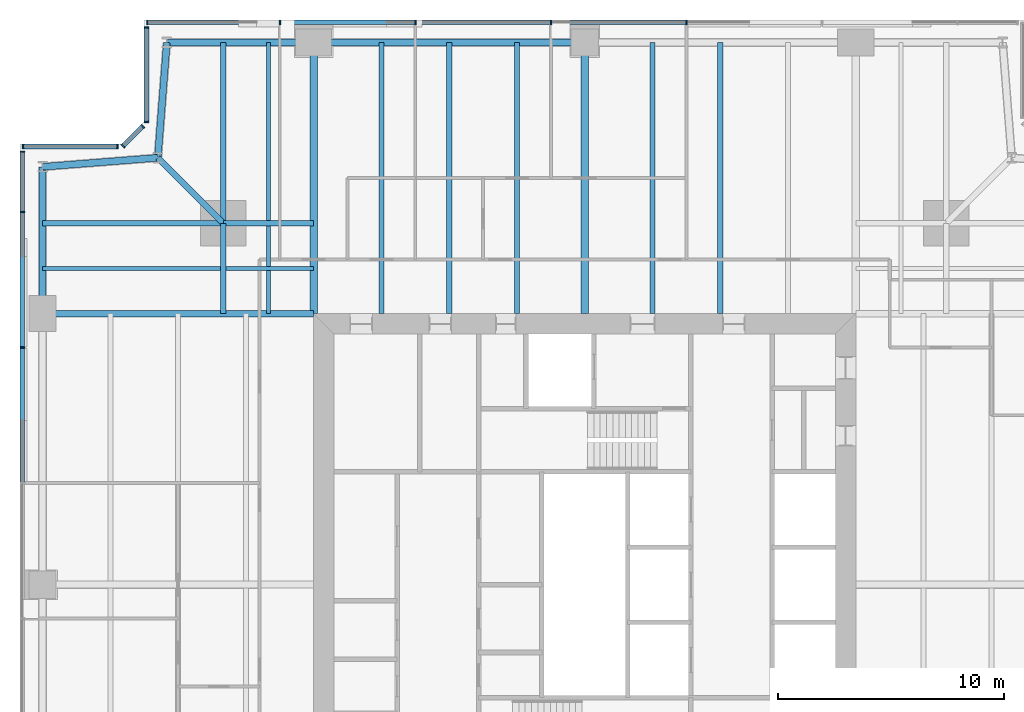
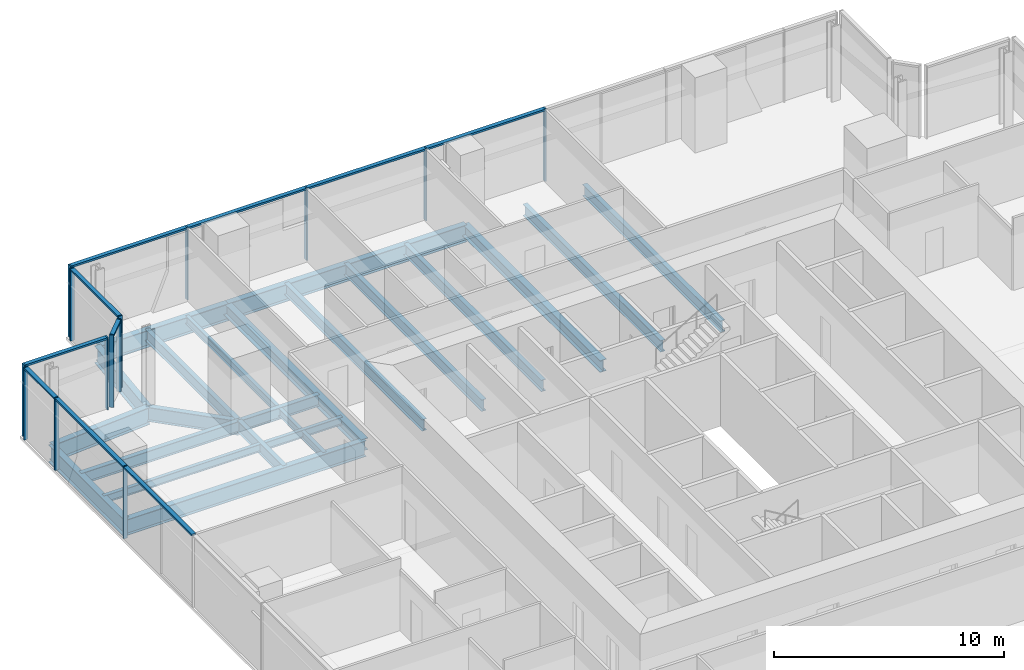
# One storey, part 6 of 14: 24 members, 23 beams, 5 elements without a shape of their own.
"""IFC4 building model written with IfcOpenShell, lengths in metres."""

from ifc_helpers import new_model, si_unit, direction, frame, origin, origin_2d, place, context, subcontext, project, spatial, rectangle, i_section, extrude, material, material_profile, profile_set, type_object, element, aggregate, save


model = new_model("IFC4")

# Units and contexts
model_context = context("Model", 3, precision=1e-05, world=origin(), true_north=direction((0.0, 1.0)))
body_context = subcontext(model_context, "Body", "Model", "MODEL_VIEW")
ifc_project = project(units=[si_unit("LENGTHUNIT", "METRE"), si_unit("AREAUNIT", "SQUARE_METRE"), si_unit("VOLUMEUNIT", "CUBIC_METRE"), si_unit("PLANEANGLEUNIT", "RADIAN"), si_unit("MASSUNIT", "GRAM", prefix="KILO")], contexts=[model_context])

# Site, building, storey
site_placement = place(None, origin())
site = spatial("IfcSite", under=ifc_project, at=site_placement, CompositionType="ELEMENT")
building_placement = place(site_placement, origin())
building = spatial("IfcBuilding", under=site, at=building_placement, Name="Fenwick Lantern Interchange", CompositionType="ELEMENT")
storey_placement = place(building_placement, frame((0.0, 0.0, 197.800048828125)))
storey = spatial("IfcBuildingStorey", under=building, at=storey_placement, Name="L46", CompositionType="ELEMENT", Elevation=197.800048828125)

# Beams
ifc_material_1 = material(Name="Steel ASTM A992 Grade 50", Category="steel")
ifc_material_profile_1 = material_profile(ifc_material_1, i_section(OverallWidth=0.3046875, OverallDepth=0.911865234375, WebThickness=0.015869140625, FlangeThickness=0.02392578125, at=origin_2d()), Name="W36X150")
ifc_profile_set_1 = profile_set([ifc_material_profile_1], Name="Steel ASTM A992 Grade 50")
beam_type_1 = type_object("IfcBeamType", Name="EDGE BEAM W36X150", PredefinedType="SPANDREL", material=ifc_profile_set_1)
beam_1_placement = place(storey_placement, frame((25.0, 49.0, -0.60595703125), z_axis=(-1.0, 0.0, 0.0), x_axis=(0.0, -1.0, 0.0)))
element("IfcBeam", 1, at=beam_1_placement, inside=storey, type_object=beam_type_1, Name="L46/FR/N/EB3", PredefinedType="SPANDREL", context=body_context, shape_type="SweptSolid", body=[
    extrude(i_section(OverallWidth=0.3046875, OverallDepth=0.911865234375, WebThickness=0.015869140625, FlangeThickness=0.02392578125, at=origin_2d()), origin(), (0.0, 0.0, 1.0), 12.0),
])
beam_2_placement = place(storey_placement, frame((13.0, 49.0, -0.60595703125), z_axis=(-1.0, 0.0, 0.0), x_axis=(0.0, -1.0, 0.0)))
element("IfcBeam", 2, at=beam_2_placement, inside=storey, type_object=beam_type_1, Name="L46/FR/N/EB4", PredefinedType="SPANDREL", context=body_context, shape_type="SweptSolid", body=[
    extrude(i_section(OverallWidth=0.3046875, OverallDepth=0.911865234375, WebThickness=0.015869140625, FlangeThickness=0.02392578125, at=origin_2d()), origin(), (0.0, 0.0, 1.0), 6.5),
])
for number, where, z_axis, x_axis, name in (
    (3, (6.5, 49.0, -0.60595703125), (-0.078170784639, -0.99693998236, 0.0), (0.99693998236, -0.078170784639, 0.0), "L46/FR/N/EBR1"),
    (4, (6.10009765625, 43.89990234375, -0.60595703125), (-0.99693998236, -0.078170784639, 0.0), (0.078170784639, -0.99693998236, 0.0), "L46/FR/N/EBR2"),
):
    element("IfcBeam", number, at=place(storey_placement, frame(where, z_axis=z_axis, x_axis=x_axis)), inside=storey, type_object=beam_type_1, Name=name, PredefinedType="SPANDREL", context=body_context, shape_type="SweptSolid", body=[
        extrude(i_section(OverallWidth=0.3046875, OverallDepth=0.911865234375, WebThickness=0.015869140625, FlangeThickness=0.02392578125, at=origin_2d()), origin(), (0.0, 0.0, 1.0), 5.11572265625),
    ])
beam_3_placement = place(storey_placement, frame((1.0, 43.5, -0.60595703125), z_axis=(0.0, -1.0, 0.0), x_axis=(1.0, 0.0, 0.0)))
element("IfcBeam", 5, at=beam_3_placement, inside=storey, type_object=beam_type_1, Name="L46/FR/W/EB1", PredefinedType="SPANDREL", context=body_context, shape_type="SweptSolid", body=[
    extrude(i_section(OverallWidth=0.3046875, OverallDepth=0.911865234375, WebThickness=0.015869140625, FlangeThickness=0.02392578125, at=origin_2d()), origin(), (0.0, 0.0, 1.0), 6.5),
])
ifc_material_profile_2 = material_profile(ifc_material_1, i_section(OverallWidth=0.22900390625, OverallDepth=0.612060546875, WebThickness=0.011962890625, FlangeThickness=0.01953125, at=origin_2d()), Name="W24X84")
ifc_profile_set_2 = profile_set([ifc_material_profile_2], Name="Steel ASTM A992 Grade 50")
beam_type_2 = type_object("IfcBeamType", Name="FLOOR BEAM W24X84", PredefinedType="BEAM", material=ifc_profile_set_2)
for number, where, z_axis, x_axis, name in (
    (6, (31.0, 49.0, -0.4560546875), (0.0, -1.0, 0.0), (1.0, 0.0, 0.0), "L46/FR/N/R03"),
    (7, (28.0, 49.0, -0.4560546875), (0.0, -1.0, 0.0), (1.0, 0.0, 0.0), "L46/FR/N/R04"),
    (8, (22.0, 49.0, -0.4560546875), (0.0, -1.0, 0.0), (1.0, 0.0, 0.0), "L46/FR/N/R06"),
    (9, (19.0, 49.0, -0.4560546875), (0.0, -1.0, 0.0), (1.0, 0.0, 0.0), "L46/FR/N/R07"),
    (10, (16.0, 49.0, -0.4560546875), (0.0, -1.0, 0.0), (1.0, 0.0, 0.0), "L46/FR/N/R08"),
):
    element("IfcBeam", number, at=place(storey_placement, frame(where, z_axis=z_axis, x_axis=x_axis)), inside=storey, type_object=beam_type_2, Name=name, PredefinedType="BEAM", context=body_context, shape_type="SweptSolid", body=[
        extrude(i_section(OverallWidth=0.22900390625, OverallDepth=0.612060546875, WebThickness=0.011962890625, FlangeThickness=0.01953125, at=origin_2d()), origin(), (0.0, 0.0, 1.0), 12.0),
    ])
ifc_material_profile_3 = material_profile(ifc_material_1, i_section(OverallWidth=0.177734375, OverallDepth=0.406494140625, WebThickness=0.0078125, FlangeThickness=0.012939453125, at=origin_2d()), Name="W16X40")
ifc_profile_set_3 = profile_set([ifc_material_profile_3], Name="Steel ASTM A992 Grade 50")
beam_type_3 = type_object("IfcBeamType", Name="INFILL BEAM W16X40", PredefinedType="JOIST", material=ifc_profile_set_3)
beam_4_placement = place(storey_placement, frame((1.0, 39.0, -0.353271484375), z_axis=(1.0, 0.0, 0.0), x_axis=(0.0, 1.0, 0.0)))
element("IfcBeam", 11, at=beam_4_placement, inside=storey, type_object=beam_type_3, Name="L46/FR/W/J1", PredefinedType="JOIST", context=body_context, shape_type="SweptSolid", body=[
    extrude(i_section(OverallWidth=0.177734375, OverallDepth=0.406494140625, WebThickness=0.0078125, FlangeThickness=0.012939453125, at=origin_2d()), origin(), (0.0, 0.0, 1.0), 7.885498046875),
])
beam_5_placement = place(storey_placement, frame((9.114501953125, 39.0, -0.353271484375), z_axis=(1.0, 0.0, 0.0), x_axis=(0.0, 1.0, 0.0)))
element("IfcBeam", 12, at=beam_5_placement, inside=storey, type_object=beam_type_3, Name="L46/FR/W/J2", PredefinedType="JOIST", context=body_context, shape_type="SweptSolid", body=[
    extrude(i_section(OverallWidth=0.177734375, OverallDepth=0.406494140625, WebThickness=0.0078125, FlangeThickness=0.012939453125, at=origin_2d()), origin(), (0.0, 0.0, 1.0), 3.885498046875),
])
beam_6_placement = place(storey_placement, frame((11.0, 49.0, -0.353271484375), z_axis=(0.0, -1.0, 0.0), x_axis=(1.0, 0.0, 0.0)))
element("IfcBeam", 13, at=beam_6_placement, inside=storey, type_object=beam_type_3, Name="L46/FR/W/J3", PredefinedType="JOIST", context=body_context, shape_type="SweptSolid", body=[
    extrude(i_section(OverallWidth=0.177734375, OverallDepth=0.406494140625, WebThickness=0.0078125, FlangeThickness=0.012939453125, at=origin_2d()), origin(), (0.0, 0.0, 1.0), 7.885498046875),
])
beam_7_placement = place(storey_placement, frame((11.0, 40.885498046875, -0.353271484375), z_axis=(0.0, -1.0, 0.0), x_axis=(1.0, 0.0, 0.0)))
element("IfcBeam", 14, at=beam_7_placement, inside=storey, type_object=beam_type_3, Name="L46/FR/W/J4", PredefinedType="JOIST", context=body_context, shape_type="SweptSolid", body=[
    extrude(i_section(OverallWidth=0.177734375, OverallDepth=0.406494140625, WebThickness=0.0078125, FlangeThickness=0.012939453125, at=origin_2d()), origin(), (0.0, 0.0, 1.0), 1.796630859375),
])
beam_8_placement = place(storey_placement, frame((11.0, 38.9111328125, -0.353271484375), z_axis=(0.0, -1.0, 0.0), x_axis=(1.0, 0.0, 0.0)))
element("IfcBeam", 15, at=beam_8_placement, inside=storey, type_object=beam_type_3, Name="L46/FR/W/J5", PredefinedType="JOIST", context=body_context, shape_type="SweptSolid", body=[
    extrude(i_section(OverallWidth=0.177734375, OverallDepth=0.406494140625, WebThickness=0.0078125, FlangeThickness=0.012939453125, at=origin_2d()), origin(), (0.0, 0.0, 1.0), 1.9111328125),
])
ifc_material_profile_4 = material_profile(ifc_material_1, i_section(OverallWidth=0.22900390625, OverallDepth=0.612060546875, WebThickness=0.011962890625, FlangeThickness=0.01953125, at=origin_2d()), Name="W24X84")
ifc_profile_set_4 = profile_set([ifc_material_profile_4], Name="Steel ASTM A992 Grade 50")
beam_type_4 = type_object("IfcBeamType", Name="MEGA COLUMN BEAM W24X84", PredefinedType="BEAM", material=ifc_profile_set_4)
for number, where, z_axis, x_axis, name in (
    (16, (9.0, 41.0, -0.4560546875), (-1.0, 0.0, 0.0), (0.0, -1.0, 0.0), "L46/FR/W/MB1"),
    (17, (9.0, 41.0, -0.4560546875), (0.0, 1.0, 0.0), (-1.0, 0.0, 0.0), "L46/FR/W/MB2"),
):
    element("IfcBeam", number, at=place(storey_placement, frame(where, z_axis=z_axis, x_axis=x_axis)), inside=storey, type_object=beam_type_4, Name=name, PredefinedType="BEAM", context=body_context, shape_type="SweptSolid", body=[
        extrude(i_section(OverallWidth=0.22900390625, OverallDepth=0.612060546875, WebThickness=0.011962890625, FlangeThickness=0.01953125, at=origin_2d()), origin(), (0.0, 0.0, 1.0), 8.0),
    ])
for number, where, z_axis, x_axis, name in (
    (18, (9.0, 41.0, -0.4560546875), (0.0, -1.0, 0.0), (1.0, 0.0, 0.0), "L46/FR/W/MB3"),
    (19, (9.0, 41.0, -0.4560546875), (1.0, 0.0, 0.0), (0.0, 1.0, 0.0), "L46/FR/W/MB4"),
):
    element("IfcBeam", number, at=place(storey_placement, frame(where, z_axis=z_axis, x_axis=x_axis)), inside=storey, type_object=beam_type_4, Name=name, PredefinedType="BEAM", context=body_context, shape_type="SweptSolid", body=[
        extrude(i_section(OverallWidth=0.22900390625, OverallDepth=0.612060546875, WebThickness=0.011962890625, FlangeThickness=0.01953125, at=origin_2d()), origin(), (0.0, 0.0, 1.0), 4.0),
    ])
ifc_material_profile_5 = material_profile(ifc_material_1, i_section(OverallWidth=0.32763671875, OverallDepth=0.622314453125, WebThickness=0.015380859375, FlangeThickness=0.0244140625, at=origin_2d()), Name="W24X131")
ifc_profile_set_5 = profile_set([ifc_material_profile_5], Name="Steel ASTM A992 Grade 50")
beam_type_5 = type_object("IfcBeamType", Name="MOMENT-CONNECTED GIRDER W24X131", PredefinedType="BEAM", material=ifc_profile_set_5)
for number, where, z_axis, x_axis, name in (
    (20, (25.0, 49.0, -0.461181640625), (0.0, -1.0, 0.0), (1.0, 0.0, 0.0), "L46/FR/N/R05"),
    (21, (13.0, 49.0, -0.461181640625), (0.0, -1.0, 0.0), (1.0, 0.0, 0.0), "L46/FR/N/R09"),
):
    element("IfcBeam", number, at=place(storey_placement, frame(where, z_axis=z_axis, x_axis=x_axis)), inside=storey, type_object=beam_type_5, Name=name, PredefinedType="BEAM", context=body_context, shape_type="SweptSolid", body=[
        extrude(i_section(OverallWidth=0.32763671875, OverallDepth=0.622314453125, WebThickness=0.015380859375, FlangeThickness=0.0244140625, at=origin_2d()), origin(), (0.0, 0.0, 1.0), 12.0),
    ])
ifc_material_profile_6 = material_profile(ifc_material_1, i_section(OverallWidth=0.2919921875, OverallDepth=0.845703125, WebThickness=0.015380859375, FlangeThickness=0.0244140625, at=origin_2d()), Name="W33X141")
ifc_profile_set_6 = profile_set([ifc_material_profile_6], Name="Steel ASTM A992 Grade 50")
beam_type_6 = type_object("IfcBeamType", Name="MOMENT-CONNECTED GIRDER W33X141", PredefinedType="BEAM", material=ifc_profile_set_6)
beam_9_placement = place(storey_placement, frame((1.0, 37.0, -0.572998046875), z_axis=(1.0, 0.0, 0.0), x_axis=(0.0, 1.0, 0.0)))
element("IfcBeam", 22, at=beam_9_placement, inside=storey, type_object=beam_type_6, Name="L46/FR/W/R01", PredefinedType="BEAM", context=body_context, shape_type="SweptSolid", body=[
    extrude(i_section(OverallWidth=0.2919921875, OverallDepth=0.845703125, WebThickness=0.015380859375, FlangeThickness=0.0244140625, at=origin_2d()), origin(), (0.0, 0.0, 1.0), 12.0),
])
ifc_material_profile_7 = material_profile(ifc_material_1, i_section(OverallWidth=0.2666015625, OverallDepth=0.7568359375, WebThickness=0.013916015625, FlangeThickness=0.019287109375, at=origin_2d()), Name="W30X108")
ifc_profile_set_7 = profile_set([ifc_material_profile_7], Name="Steel ASTM A992 Grade 50")
beam_type_7 = type_object("IfcBeamType", Name="NOTCH BEAM W30X108", PredefinedType="BEAM", material=ifc_profile_set_7)
beam_10_placement = place(storey_placement, frame((9.0, 41.0, -0.528564453125), z_axis=(-0.707106781187, 0.707106781187, 0.0), x_axis=(-0.707106781187, -0.707106781187, 0.0)))
element("IfcBeam", 23, at=beam_10_placement, inside=storey, type_object=beam_type_7, Name="L46/FR/W/TG", PredefinedType="BEAM", context=body_context, shape_type="SweptSolid", body=[
    extrude(i_section(OverallWidth=0.2666015625, OverallDepth=0.7568359375, WebThickness=0.013916015625, FlangeThickness=0.019287109375, at=origin_2d()), origin(), (0.0, 0.0, 1.0), 4.10107421875),
])

# Curtain wall, members
ifc_material_2 = material(Name="Aluminium curtain wall frame", Category="aluminium")
curtain_wall_type = type_object("IfcCurtainWallType", Name="OFFICE CURTAIN WALL", PredefinedType="USERDEFINED", material=ifc_material_2)
curtain_wall_1_placement = place(storey_placement, origin())
curtain_wall_1 = element("IfcCurtainWall", 24, at=curtain_wall_1_placement, inside=storey, type_object=curtain_wall_type, Name="Office curtain wall 09", ObjectType="OFFICE CURTAIN WALL", PredefinedType="USERDEFINED")
ifc_material_3 = material(Name="Aluminium extrusion", Category="aluminium")
ifc_material_profile_8 = material_profile(ifc_material_3, rectangle(XDim=0.199951171875, YDim=0.06494140625, at=origin_2d()), Name="OFFICE CURTAIN WALL MULLION 65 X 200")
ifc_profile_set_8 = profile_set([ifc_material_profile_8], Name="Aluminium extrusion")
member_type_1 = type_object("IfcMemberType", Name="OFFICE CURTAIN WALL MULLION 65 X 200", PredefinedType="MULLION", material=ifc_profile_set_8)
member_1_placement = place(storey_placement, frame((29.5, 49.89990234375, 0.0), z_axis=(0.0, 0.0, 1.0), x_axis=(0.0, -1.0, 0.0)))
member_1 = element("IfcMember", 25, at=member_1_placement, type_object=member_type_1, Name="L46/CW/09/M03", PredefinedType="MULLION", context=body_context, shape_type="SweptSolid", body=[
    extrude(rectangle(XDim=0.199951171875, YDim=0.06494140625, at=origin_2d()), origin(), (0.0, 0.0, 1.0), 3.849853515625),
])
member_2_placement = place(storey_placement, frame((23.5, 49.89990234375, 0.0), z_axis=(0.0, 0.0, 1.0), x_axis=(0.0, -1.0, 0.0)))
member_2 = element("IfcMember", 26, at=member_2_placement, type_object=member_type_1, Name="L46/CW/09/M04", PredefinedType="MULLION", context=body_context, shape_type="SweptSolid", body=[
    extrude(rectangle(XDim=0.199951171875, YDim=0.06494140625, at=origin_2d()), origin(), (0.0, 0.0, 1.0), 3.849853515625),
])
member_3_placement = place(storey_placement, frame((17.5, 49.89990234375, 0.0), z_axis=(0.0, 0.0, 1.0), x_axis=(0.0, -1.0, 0.0)))
member_3 = element("IfcMember", 27, at=member_3_placement, type_object=member_type_1, Name="L46/CW/09/M05", PredefinedType="MULLION", context=body_context, shape_type="SweptSolid", body=[
    extrude(rectangle(XDim=0.199951171875, YDim=0.06494140625, at=origin_2d()), origin(), (0.0, 0.0, 1.0), 3.849853515625),
])
member_4_placement = place(storey_placement, frame((11.5, 49.89990234375, 0.0), z_axis=(0.0, 0.0, 1.0), x_axis=(0.0, -1.0, 0.0)))
member_4 = element("IfcMember", 28, at=member_4_placement, type_object=member_type_1, Name="L46/CW/09/M06", PredefinedType="MULLION", context=body_context, shape_type="SweptSolid", body=[
    extrude(rectangle(XDim=0.199951171875, YDim=0.06494140625, at=origin_2d()), origin(), (0.0, 0.0, 1.0), 3.849853515625),
])
member_5_placement = place(storey_placement, frame((5.632568359375, 49.89990234375, 0.0), z_axis=(0.0, 0.0, 1.0), x_axis=(0.0, -1.0, 0.0)))
member_5 = element("IfcMember", 29, at=member_5_placement, type_object=member_type_1, Name="L46/CW/09/M07", PredefinedType="MULLION", context=body_context, shape_type="SweptSolid", body=[
    extrude(rectangle(XDim=0.199951171875, YDim=0.06494140625, at=origin_2d()), origin(), (0.0, 0.0, 1.0), 3.849853515625),
])

curtain_wall_2_placement = place(storey_placement, origin())
curtain_wall_2 = element("IfcCurtainWall", 30, at=curtain_wall_2_placement, inside=storey, type_object=curtain_wall_type, Name="Office curtain wall 10", ObjectType="OFFICE CURTAIN WALL", PredefinedType="USERDEFINED")
member_6_placement = place(storey_placement, frame((5.60009765625, 49.66748046875, 0.0), z_axis=(0.0, 0.0, 1.0), x_axis=(1.0, 0.0, 0.0)))
member_6 = element("IfcMember", 31, at=member_6_placement, type_object=member_type_1, Name="L46/CW/10/M00", PredefinedType="MULLION", context=body_context, shape_type="SweptSolid", body=[
    extrude(rectangle(XDim=0.199951171875, YDim=0.06494140625, at=origin_2d()), origin(), (0.0, 0.0, 1.0), 3.849853515625),
])
member_7_placement = place(storey_placement, frame((5.60009765625, 45.490966796875, 0.0), z_axis=(0.0, 0.0, 1.0), x_axis=(1.0, 0.0, 0.0)))
member_7 = element("IfcMember", 32, at=member_7_placement, type_object=member_type_1, Name="L46/CW/10/M01", PredefinedType="MULLION", context=body_context, shape_type="SweptSolid", body=[
    extrude(rectangle(XDim=0.199951171875, YDim=0.06494140625, at=origin_2d()), origin(), (0.0, 0.0, 1.0), 3.849853515625),
])

curtain_wall_3_placement = place(storey_placement, origin())
curtain_wall_3 = element("IfcCurtainWall", 33, at=curtain_wall_3_placement, inside=storey, type_object=curtain_wall_type, Name="Office curtain wall 11", ObjectType="OFFICE CURTAIN WALL", PredefinedType="USERDEFINED")
member_8_placement = place(storey_placement, frame((5.435546875, 45.294189453125, 0.0), z_axis=(0.0, 0.0, 1.0), x_axis=(0.707106781187, -0.707106781187, 0.0)))
member_8 = element("IfcMember", 34, at=member_8_placement, type_object=member_type_1, Name="L46/CW/11/M00", PredefinedType="MULLION", context=body_context, shape_type="SweptSolid", body=[
    extrude(rectangle(XDim=0.199951171875, YDim=0.06494140625, at=origin_2d()), origin(), (0.0, 0.0, 1.0), 3.849853515625),
])
member_9_placement = place(storey_placement, frame((4.564453125, 44.423095703125, 0.0), z_axis=(0.0, 0.0, 1.0), x_axis=(0.707106781187, -0.707106781187, 0.0)))
member_9 = element("IfcMember", 35, at=member_9_placement, type_object=member_type_1, Name="L46/CW/11/M01", PredefinedType="MULLION", context=body_context, shape_type="SweptSolid", body=[
    extrude(rectangle(XDim=0.199951171875, YDim=0.06494140625, at=origin_2d()), origin(), (0.0, 0.0, 1.0), 3.849853515625),
])

curtain_wall_4_placement = place(storey_placement, origin())
curtain_wall_4 = element("IfcCurtainWall", 36, at=curtain_wall_4_placement, inside=storey, type_object=curtain_wall_type, Name="Office curtain wall 12", ObjectType="OFFICE CURTAIN WALL", PredefinedType="USERDEFINED")
member_10_placement = place(storey_placement, frame((4.308837890625, 44.39990234375, 0.0), z_axis=(0.0, 0.0, 1.0), x_axis=(0.0, -1.0, 0.0)))
member_10 = element("IfcMember", 37, at=member_10_placement, type_object=member_type_1, Name="L46/CW/12/M00", PredefinedType="MULLION", context=body_context, shape_type="SweptSolid", body=[
    extrude(rectangle(XDim=0.199951171875, YDim=0.06494140625, at=origin_2d()), origin(), (0.0, 0.0, 1.0), 3.849853515625),
])
member_11_placement = place(storey_placement, frame((0.132568359375, 44.39990234375, 0.0), z_axis=(0.0, 0.0, 1.0), x_axis=(0.0, -1.0, 0.0)))
member_11 = element("IfcMember", 38, at=member_11_placement, type_object=member_type_1, Name="L46/CW/12/M01", PredefinedType="MULLION", context=body_context, shape_type="SweptSolid", body=[
    extrude(rectangle(XDim=0.199951171875, YDim=0.06494140625, at=origin_2d()), origin(), (0.0, 0.0, 1.0), 3.849853515625),
])

curtain_wall_5_placement = place(storey_placement, origin())
curtain_wall_5 = element("IfcCurtainWall", 39, at=curtain_wall_5_placement, inside=storey, type_object=curtain_wall_type, Name="Office curtain wall 13", ObjectType="OFFICE CURTAIN WALL", PredefinedType="USERDEFINED")
member_12_placement = place(storey_placement, frame((0.10009765625, 44.16748046875, 0.0), z_axis=(0.0, 0.0, 1.0), x_axis=(1.0, 0.0, 0.0)))
member_12 = element("IfcMember", 40, at=member_12_placement, type_object=member_type_1, Name="L46/CW/13/M00", PredefinedType="MULLION", context=body_context, shape_type="SweptSolid", body=[
    extrude(rectangle(XDim=0.199951171875, YDim=0.06494140625, at=origin_2d()), origin(), (0.0, 0.0, 1.0), 3.849853515625),
])
member_13_placement = place(storey_placement, frame((0.10009765625, 41.5, 0.0), z_axis=(0.0, 0.0, 1.0), x_axis=(1.0, 0.0, 0.0)))
member_13 = element("IfcMember", 41, at=member_13_placement, type_object=member_type_1, Name="L46/CW/13/M01", PredefinedType="MULLION", context=body_context, shape_type="SweptSolid", body=[
    extrude(rectangle(XDim=0.199951171875, YDim=0.06494140625, at=origin_2d()), origin(), (0.0, 0.0, 1.0), 3.849853515625),
])
member_14_placement = place(storey_placement, frame((0.10009765625, 35.5, 0.0), z_axis=(0.0, 0.0, 1.0), x_axis=(1.0, 0.0, 0.0)))
member_14 = element("IfcMember", 42, at=member_14_placement, type_object=member_type_1, Name="L46/CW/13/M02", PredefinedType="MULLION", context=body_context, shape_type="SweptSolid", body=[
    extrude(rectangle(XDim=0.199951171875, YDim=0.06494140625, at=origin_2d()), origin(), (0.0, 0.0, 1.0), 3.849853515625),
])

# Member
ifc_material_profile_9 = material_profile(ifc_material_3, rectangle(XDim=0.199951171875, YDim=0.10009765625, at=origin_2d()), Name="OFFICE CURTAIN WALL TRANSOM 100 X 200")
ifc_profile_set_9 = profile_set([ifc_material_profile_9], Name="Aluminium extrusion")
member_type_2 = type_object("IfcMemberType", Name="OFFICE CURTAIN WALL TRANSOM 100 X 200", PredefinedType="MULLION", material=ifc_profile_set_9)
member_15_placement = place(storey_placement, frame((29.467529296875, 49.89990234375, 3.800048828125), z_axis=(-1.0, 0.0, 0.0), x_axis=(0.0, -1.0, 0.0)))
member_15 = element("IfcMember", 43, at=member_15_placement, type_object=member_type_2, Name="L46/CW/09/T03", PredefinedType="MULLION", context=body_context, shape_type="SweptSolid", body=[
    extrude(rectangle(XDim=0.199951171875, YDim=0.10009765625, at=origin_2d()), origin(), (0.0, 0.0, 1.0), 5.93505859375),
])

member_16_placement = place(storey_placement, frame((23.467529296875, 49.89990234375, 3.800048828125), z_axis=(-1.0, 0.0, 0.0), x_axis=(0.0, -1.0, 0.0)))
member_16 = element("IfcMember", 44, at=member_16_placement, type_object=member_type_2, Name="L46/CW/09/T04", PredefinedType="MULLION", context=body_context, shape_type="SweptSolid", body=[
    extrude(rectangle(XDim=0.199951171875, YDim=0.10009765625, at=origin_2d()), origin(), (0.0, 0.0, 1.0), 5.93505859375),
])

member_17_placement = place(storey_placement, frame((17.467529296875, 49.89990234375, 3.800048828125), z_axis=(-1.0, 0.0, 0.0), x_axis=(0.0, -1.0, 0.0)))
member_17 = element("IfcMember", 45, at=member_17_placement, type_object=member_type_2, Name="L46/CW/09/T05", PredefinedType="MULLION", context=body_context, shape_type="SweptSolid", body=[
    extrude(rectangle(XDim=0.199951171875, YDim=0.10009765625, at=origin_2d()), origin(), (0.0, 0.0, 1.0), 5.93505859375),
])

member_18_placement = place(storey_placement, frame((11.467529296875, 49.89990234375, 3.800048828125), z_axis=(-1.0, 0.0, 0.0), x_axis=(0.0, -1.0, 0.0)))
member_18 = element("IfcMember", 46, at=member_18_placement, type_object=member_type_2, Name="L46/CW/09/T06", PredefinedType="MULLION", context=body_context, shape_type="SweptSolid", body=[
    extrude(rectangle(XDim=0.199951171875, YDim=0.10009765625, at=origin_2d()), origin(), (0.0, 0.0, 1.0), 5.802490234375),
])

aggregate(curtain_wall_1, [member_1, member_2, member_3, member_4, member_5, member_15, member_16, member_17, member_18])

member_19_placement = place(storey_placement, frame((5.60009765625, 49.635009765625, 3.800048828125), z_axis=(0.0, -1.0, 0.0), x_axis=(1.0, 0.0, 0.0)))
member_19 = element("IfcMember", 47, at=member_19_placement, type_object=member_type_2, Name="L46/CW/10/T00", PredefinedType="MULLION", context=body_context, shape_type="SweptSolid", body=[
    extrude(rectangle(XDim=0.199951171875, YDim=0.10009765625, at=origin_2d()), origin(), (0.0, 0.0, 1.0), 4.111328125),
])

aggregate(curtain_wall_2, [member_6, member_7, member_19])

member_20_placement = place(storey_placement, frame((5.41259765625, 45.271240234375, 3.800048828125), z_axis=(-0.707106781187, -0.707106781187, 0.0), x_axis=(0.707106781187, -0.707106781187, 0.0)))
member_20 = element("IfcMember", 48, at=member_20_placement, type_object=member_type_2, Name="L46/CW/11/T00", PredefinedType="MULLION", context=body_context, shape_type="SweptSolid", body=[
    extrude(rectangle(XDim=0.199951171875, YDim=0.10009765625, at=origin_2d()), origin(), (0.0, 0.0, 1.0), 1.1669921875),
])

aggregate(curtain_wall_3, [member_8, member_9, member_20])

member_21_placement = place(storey_placement, frame((4.2763671875, 44.39990234375, 3.800048828125), z_axis=(-1.0, 0.0, 0.0), x_axis=(0.0, -1.0, 0.0)))
member_21 = element("IfcMember", 49, at=member_21_placement, type_object=member_type_2, Name="L46/CW/12/T00", PredefinedType="MULLION", context=body_context, shape_type="SweptSolid", body=[
    extrude(rectangle(XDim=0.199951171875, YDim=0.10009765625, at=origin_2d()), origin(), (0.0, 0.0, 1.0), 4.111328125),
])

aggregate(curtain_wall_4, [member_10, member_11, member_21])

member_22_placement = place(storey_placement, frame((0.10009765625, 44.135009765625, 3.800048828125), z_axis=(0.0, -1.0, 0.0), x_axis=(1.0, 0.0, 0.0)))
member_22 = element("IfcMember", 50, at=member_22_placement, type_object=member_type_2, Name="L46/CW/13/T00", PredefinedType="MULLION", context=body_context, shape_type="SweptSolid", body=[
    extrude(rectangle(XDim=0.199951171875, YDim=0.10009765625, at=origin_2d()), origin(), (0.0, 0.0, 1.0), 2.6025390625),
])

member_23_placement = place(storey_placement, frame((0.10009765625, 41.467529296875, 3.800048828125), z_axis=(0.0, -1.0, 0.0), x_axis=(1.0, 0.0, 0.0)))
member_23 = element("IfcMember", 51, at=member_23_placement, type_object=member_type_2, Name="L46/CW/13/T01", PredefinedType="MULLION", context=body_context, shape_type="SweptSolid", body=[
    extrude(rectangle(XDim=0.199951171875, YDim=0.10009765625, at=origin_2d()), origin(), (0.0, 0.0, 1.0), 5.93505859375),
])

member_24_placement = place(storey_placement, frame((0.10009765625, 35.467529296875, 3.800048828125), z_axis=(0.0, -1.0, 0.0), x_axis=(1.0, 0.0, 0.0)))
member_24 = element("IfcMember", 52, at=member_24_placement, type_object=member_type_2, Name="L46/CW/13/T02", PredefinedType="MULLION", context=body_context, shape_type="SweptSolid", body=[
    extrude(rectangle(XDim=0.199951171875, YDim=0.10009765625, at=origin_2d()), origin(), (0.0, 0.0, 1.0), 5.93505859375),
])

aggregate(curtain_wall_5, [member_12, member_13, member_14, member_22, member_23, member_24])

save(model, "model.ifc")
